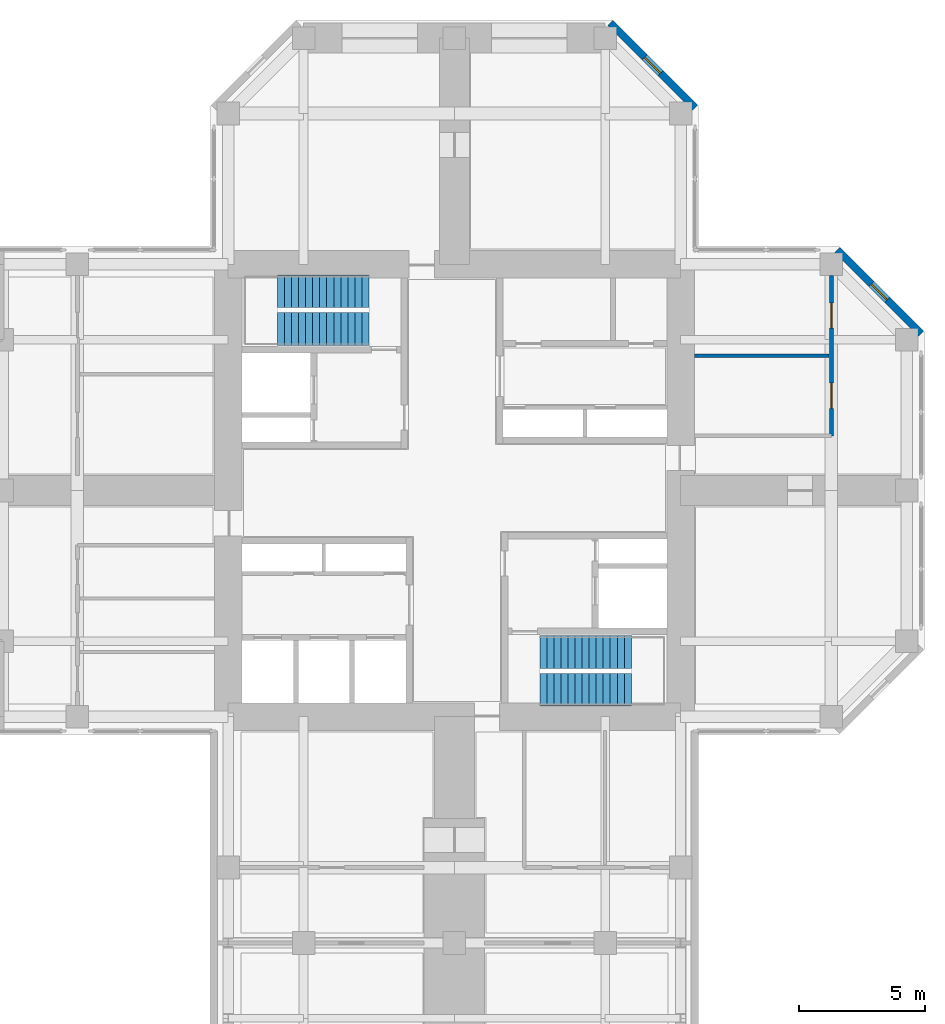
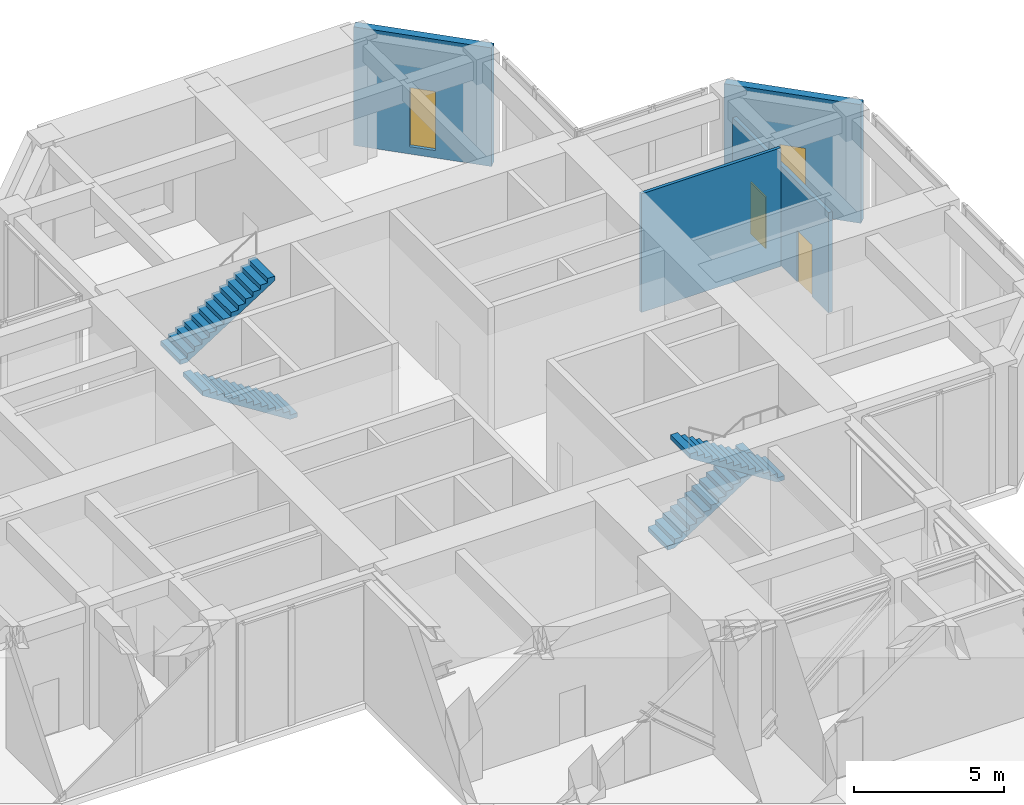
# One storey, part 9 of 10: 4 stair flights, 4 walls, 2 doors, 2 windows, 4 openings, 2 elements without a shape of their own.
"""IFC4 building model written with IfcOpenShell, lengths in metres."""

from ifc_helpers import new_model, si_unit, direction, frame, frame_2d, origin, place, context, subcontext, project, spatial, polyline, rectangle, hollow_rectangle, outline, extrude, material, layer, layer_set, constituent, constituent_set, type_object, element, fill, aggregate, save


model = new_model("IFC4")

# Units and contexts
model_context = context("Model", 3, precision=1e-05, world=origin(), true_north=direction((0.0, 1.0)))
body_context = subcontext(model_context, "Body", "Model", "MODEL_VIEW")
ifc_project = project(units=[si_unit("LENGTHUNIT", "METRE"), si_unit("AREAUNIT", "SQUARE_METRE"), si_unit("VOLUMEUNIT", "CUBIC_METRE"), si_unit("PLANEANGLEUNIT", "RADIAN"), si_unit("MASSUNIT", "GRAM", prefix="KILO")], contexts=[model_context])

# Site, building, storey
site_placement = place(None, origin())
site = spatial("IfcSite", under=ifc_project, at=site_placement, CompositionType="ELEMENT")
building_placement = place(site_placement, origin())
building = spatial("IfcBuilding", under=site, at=building_placement, Name="Torre Cruceta", CompositionType="ELEMENT")
storey_placement = place(building_placement, frame((0.0, 0.0, 217.10009765625)))
storey = spatial("IfcBuildingStorey", under=building, at=storey_placement, Name="L55", CompositionType="ELEMENT", Elevation=217.10009765625)

# Wall, opening, window
ifc_material_1 = material(Name="Concrete G30 (fck 30 MPa)", Category="concrete")
ifc_layer_1 = layer(ifc_material_1, 0.300048828125)
ifc_layer_set_1 = layer_set([ifc_layer_1], Name="Concrete G30 (fck 30 MPa)")
wall_type_1 = type_object("IfcWallType", Name="EXPOSED CONCRETE FACADE WALL 300", PredefinedType="SOLIDWALL", material=ifc_layer_set_1)
wall_1_placement = place(storey_placement, frame((18.570068359375, 6.236083984375, 0.0), z_axis=(0.0, 0.0, 1.0), x_axis=(-0.707106781187, 0.707106781187, 0.0)))
wall_1 = element("IfcWall", 1, at=wall_1_placement, inside=storey, type_object=wall_type_1, Name="EW1 facade wall L55 E chamfer 03", PredefinedType="SOLIDWALL", context=body_context, shape_type="SweptSolid", body=[
    extrude(rectangle(XDim=4.715087890625, YDim=0.300048828125, at=frame_2d((2.357421875, 0.0))), origin(), (0.0, 0.0, 1.0), 4.81982421875),
])
opening_1_placement = place(wall_1_placement, frame((1.907470703125, 0.0, 0.300048828125)))
opening_1 = element("IfcOpeningElement", 2, at=opening_1_placement, cuts=wall_1, Name="Opening WN5", PredefinedType="OPENING", context=body_context, shape_type="SweptSolid", body=[
    extrude(rectangle(XDim=0.89990234375, YDim=2.39990234375, at=frame_2d((0.449951171875, 1.199951171875))), frame((0.0, 0.159912109375, 0.0), z_axis=(0.0, -1.0, 0.0), x_axis=(1.0, 0.0, 0.0)), (0.0, 0.0, 1.0), 0.320068359375),
])
ifc_material_2 = material(Name="Aluminium window frame", Category="aluminium")
ifc_constituent_1 = constituent(ifc_material_2, Name="Frame")
ifc_material_3 = material(Name="Laminated insulating glass unit, low-iron clear", Category="glass")
ifc_constituent_2 = constituent(ifc_material_3, Name="Glazing")
ifc_constituent_set_1 = constituent_set(constituents=[ifc_constituent_1, ifc_constituent_2], Name="Aluminium window")
window_type = type_object("IfcWindowType", Name="CHAMFER SLOT WINDOW 900X2400", PartitioningType="SINGLE_PANEL", PredefinedType="WINDOW", material=ifc_constituent_set_1)
window_1_placement = place(opening_1_placement, origin())
window_1 = element("IfcWindow", 3, at=window_1_placement, inside=storey, type_object=window_type, Name="WN5 L55 E 1", OverallHeight=2.39990234375, OverallWidth=0.89990234375, PartitioningType="SINGLE_PANEL", PredefinedType="WINDOW", context=body_context, shape_type="SweptSolid", body=[
    extrude(hollow_rectangle(XDim=0.89990234375, YDim=2.39990234375, WallThickness=0.06005859375, at=frame_2d((0.449951171875, 1.199951171875))), frame((0.0, 0.030029296875, 0.0), z_axis=(0.0, -1.0, 0.0), x_axis=(1.0, 0.0, 0.0)), (0.0, 0.0, 1.0), 0.06005859375),
    extrude(rectangle(XDim=0.77880859375, YDim=2.27880859375, at=frame_2d((0.449951171875, 1.199951171875))), frame((0.0, 0.030029296875, 0.0), z_axis=(0.0, -1.0, 0.0), x_axis=(1.0, 0.0, 0.0)), (0.0, 0.0, 1.0), 0.06005859375),
])
fill(opening_1, window_1)

wall_2_placement = place(storey_placement, frame((9.570068359375, 15.236083984375, 0.0), z_axis=(0.0, 0.0, 1.0), x_axis=(-0.707106781187, 0.707106781187, 0.0)))
wall_2 = element("IfcWall", 4, at=wall_2_placement, inside=storey, type_object=wall_type_1, Name="EW1 facade wall L55 N chamfer 06", PredefinedType="SOLIDWALL", context=body_context, shape_type="SweptSolid", body=[
    extrude(rectangle(XDim=4.75732421875, YDim=0.300048828125, at=frame_2d((2.378662109375, 0.0))), origin(), (0.0, 0.0, 1.0), 4.81982421875),
])
opening_2_placement = place(wall_2_placement, frame((1.9287109375, 0.0, 0.300048828125)))
opening_2 = element("IfcOpeningElement", 5, at=opening_2_placement, cuts=wall_2, Name="Opening WN5", PredefinedType="OPENING", context=body_context, shape_type="SweptSolid", body=[
    extrude(rectangle(XDim=0.89990234375, YDim=2.39990234375, at=frame_2d((0.449951171875, 1.199951171875))), frame((0.0, 0.159912109375, 0.0), z_axis=(0.0, -1.0, 0.0), x_axis=(1.0, 0.0, 0.0)), (0.0, 0.0, 1.0), 0.320068359375),
])
window_2_placement = place(opening_2_placement, origin())
window_2 = element("IfcWindow", 6, at=window_2_placement, inside=storey, type_object=window_type, Name="WN5 L55 N 1", OverallHeight=2.39990234375, OverallWidth=0.89990234375, PartitioningType="SINGLE_PANEL", PredefinedType="WINDOW", context=body_context, shape_type="SweptSolid", body=[
    extrude(hollow_rectangle(XDim=0.89990234375, YDim=2.39990234375, WallThickness=0.06005859375, at=frame_2d((0.449951171875, 1.199951171875))), frame((0.0, 0.030029296875, 0.0), z_axis=(0.0, -1.0, 0.0), x_axis=(1.0, 0.0, 0.0)), (0.0, 0.0, 1.0), 0.06005859375),
    extrude(rectangle(XDim=0.77880859375, YDim=2.27880859375, at=frame_2d((0.449951171875, 1.199951171875))), frame((0.0, 0.030029296875, 0.0), z_axis=(0.0, -1.0, 0.0), x_axis=(1.0, 0.0, 0.0)), (0.0, 0.0, 1.0), 0.06005859375),
])
fill(opening_2, window_2)

# Wall, openings, doors
ifc_material_4 = material(Name="Plasterboard on steel studs", Category="steel")
ifc_layer_2 = layer(ifc_material_4, 0.14990234375)
ifc_layer_set_2 = layer_set([ifc_layer_2], Name="Plasterboard on steel studs")
wall_type_2 = type_object("IfcWallType", Name="PARTITION 150", PredefinedType="PARTITIONING", material=ifc_layer_set_2)
wall_3_placement = place(storey_placement, frame((15.0, 2.175048828125, 0.0), z_axis=(0.0, 0.0, 1.0), x_axis=(0.0, 1.0, 0.0)))
wall_3 = element("IfcWall", 7, at=wall_3_placement, inside=storey, type_object=wall_type_2, Name="PT1 L55-E-BFL", PredefinedType="PARTITIONING", context=body_context, shape_type="SweptSolid", body=[
    extrude(rectangle(XDim=6.375, YDim=0.14990234375, at=frame_2d((3.1875, 0.0))), origin(), (0.0, 0.0, 1.0), 4.06982421875),
])
opening_3_placement = place(wall_3_placement, frame((1.09375, 0.0, 0.0)))
opening_3 = element("IfcOpeningElement", 8, at=opening_3_placement, cuts=wall_3, Name="Opening D3", PredefinedType="OPENING", context=body_context, shape_type="SweptSolid", body=[
    extrude(rectangle(XDim=1.0, YDim=2.10009765625, at=frame_2d((0.5, 1.050048828125))), frame((0.0, 0.0849609375, 0.0), z_axis=(0.0, -1.0, 0.0), x_axis=(1.0, 0.0, 0.0)), (0.0, 0.0, 1.0), 0.169921875),
])
opening_4_placement = place(wall_3_placement, frame((4.28125, 0.0, 0.0)))
opening_4 = element("IfcOpeningElement", 9, at=opening_4_placement, cuts=wall_3, Name="Opening D3", PredefinedType="OPENING", context=body_context, shape_type="SweptSolid", body=[
    extrude(rectangle(XDim=1.0, YDim=2.10009765625, at=frame_2d((0.5, 1.050048828125))), frame((0.0, 0.0849609375, 0.0), z_axis=(0.0, -1.0, 0.0), x_axis=(1.0, 0.0, 0.0)), (0.0, 0.0, 1.0), 0.169921875),
])
ifc_material_5 = material(Name="Steel DX51D", Category="steel")
ifc_constituent_3 = constituent(ifc_material_5, Name="Leaf and frame")
ifc_material_6 = material(Name="Polyester powder coating", Category="paint")
ifc_constituent_4 = constituent(ifc_material_6, Name="Finish")
ifc_constituent_set_2 = constituent_set(constituents=[ifc_constituent_3, ifc_constituent_4], Name="Steel fire door")
door_type = type_object("IfcDoorType", Name="FIRE DOOR 1000X2100", OperationType="SINGLE_SWING_LEFT", PredefinedType="DOOR", material=ifc_constituent_set_2)
door_1_placement = place(opening_3_placement, origin())
door_1 = element("IfcDoor", 10, at=door_1_placement, inside=storey, type_object=door_type, Name="D3 L55-E-BFL-D1", OperationType="SINGLE_SWING_LEFT", OverallHeight=2.10009765625, OverallWidth=1.0, PredefinedType="DOOR", context=body_context, shape_type="SweptSolid", body=[
    extrude(rectangle(XDim=1.0, YDim=2.10009765625, at=frame_2d((0.5, 1.050048828125))), frame((0.0, 0.02490234375, 0.0), z_axis=(0.0, -1.0, 0.0), x_axis=(1.0, 0.0, 0.0)), (0.0, 0.0, 1.0), 0.050048828125),
])
fill(opening_3, door_1)
door_2_placement = place(opening_4_placement, origin())
door_2 = element("IfcDoor", 11, at=door_2_placement, inside=storey, type_object=door_type, Name="D3 L55-E-BFL-D2", OperationType="SINGLE_SWING_LEFT", OverallHeight=2.10009765625, OverallWidth=1.0, PredefinedType="DOOR", context=body_context, shape_type="SweptSolid", body=[
    extrude(rectangle(XDim=1.0, YDim=2.10009765625, at=frame_2d((0.5, 1.050048828125))), frame((0.0, 0.02490234375, 0.0), z_axis=(0.0, -1.0, 0.0), x_axis=(1.0, 0.0, 0.0)), (0.0, 0.0, 1.0), 0.050048828125),
])
fill(opening_4, door_2)

# Wall
ifc_material_7 = material(Name="Plasterboard on steel studs", Category="steel")
ifc_layer_3 = layer(ifc_material_7, 0.1201171875)
ifc_layer_set_3 = layer_set([ifc_layer_3], Name="Plasterboard on steel studs")
wall_type_3 = type_object("IfcWallType", Name="WC PARTITION 120", PredefinedType="PLUMBINGWALL", material=ifc_layer_set_3)
wall_4_placement = place(storey_placement, frame((9.550048828125, 5.362548828125, 0.0), z_axis=(0.0, 0.0, 1.0), x_axis=(1.0, 0.0, 0.0)))
element("IfcWall", 12, at=wall_4_placement, inside=storey, type_object=wall_type_3, Name="PT5 L55-E-BDL1", PredefinedType="PLUMBINGWALL", context=body_context, shape_type="SweptSolid", body=[
    extrude(rectangle(XDim=5.349853515625, YDim=0.1201171875, at=frame_2d((2.6748046875, 0.0))), origin(), (0.0, 0.0, 1.0), 4.81982421875),
])

# Stair, stair flights
ifc_material_8 = material(Name="Concrete G30 (fck 30 MPa)", Category="concrete")
stair_type = type_object("IfcStairType", Name="STAIR HALF-TURN 1300", PredefinedType="HALF_TURN_STAIR", material=ifc_material_8)
stair_1_placement = place(storey_placement, origin())
stair_1 = element("IfcStair", 13, at=stair_1_placement, inside=storey, type_object=stair_type, Name="Stair ST1 L55", PredefinedType="HALF_TURN_STAIR")
ifc_material_9 = material(Name="Concrete G30 (fck 30 MPa)", Category="concrete")
stair_flight_type = type_object("IfcStairFlightType", Name="STAIR FLIGHT 1300", PredefinedType="STRAIGHT", material=ifc_material_9)
stair_flight_1_placement = place(storey_placement, frame((-3.39990234375, 6.425048828125, 0.0), z_axis=(0.0, 0.0, 1.0), x_axis=(-1.0, 0.0, 0.0)))
stair_flight_1 = element("IfcStairFlight", 14, at=stair_flight_1_placement, type_object=stair_flight_type, Name="ST1 flight 1", NumberOfRisers=14, NumberOfTreads=13, PredefinedType="STRAIGHT", RiserHeight=0.178571429, TreadLength=0.28, context=body_context, shape_type="SweptSolid", body=[
    extrude(outline(polyline([(0.0, 0.0), (0.0, 0.178466796875), (0.280029296875, 0.178466796875), (0.280029296875, 0.357177734375), (0.56005859375, 0.357177734375), (0.56005859375, 0.53564453125), (0.840087890625, 0.53564453125), (0.840087890625, 0.71435546875), (1.1201171875, 0.71435546875), (1.1201171875, 0.892822265625), (1.39990234375, 0.892822265625), (1.39990234375, 1.071533203125), (1.679931640625, 1.071533203125), (1.679931640625, 1.25), (1.9599609375, 1.25), (1.9599609375, 1.428466796875), (2.239990234375, 1.428466796875), (2.239990234375, 1.607177734375), (2.52001953125, 1.607177734375), (2.52001953125, 1.78564453125), (2.800048828125, 1.78564453125), (2.800048828125, 1.96435546875), (3.080078125, 1.96435546875), (3.080078125, 2.142822265625), (3.360107421875, 2.142822265625), (3.360107421875, 2.321533203125), (3.639892578125, 2.321533203125), (3.639892578125, 2.5), (3.639892578125, 2.1435546875), (0.27880859375, 0.0), (0.0, 0.0)])), frame((0.0, 0.64990234375, 0.0), z_axis=(0.0, -1.0, 0.0), x_axis=(1.0, 0.0, 0.0)), (0.0, 0.0, 1.0), 1.300048828125),
])
stair_flight_2_placement = place(storey_placement, frame((-7.0400390625, 7.925048828125, 2.5), z_axis=(0.0, 0.0, 1.0), x_axis=(1.0, 0.0, 0.0)))
stair_flight_2 = element("IfcStairFlight", 15, at=stair_flight_2_placement, type_object=stair_flight_type, Name="ST1 flight 2", NumberOfRisers=14, NumberOfTreads=13, PredefinedType="STRAIGHT", RiserHeight=0.178571429, TreadLength=0.28, context=body_context, shape_type="SweptSolid", body=[
    extrude(outline(polyline([(0.0, 0.0), (0.0, 0.178466796875), (0.280029296875, 0.178466796875), (0.280029296875, 0.357177734375), (0.56005859375, 0.357177734375), (0.56005859375, 0.53564453125), (0.840087890625, 0.53564453125), (0.840087890625, 0.71435546875), (1.1201171875, 0.71435546875), (1.1201171875, 0.892822265625), (1.39990234375, 0.892822265625), (1.39990234375, 1.071533203125), (1.679931640625, 1.071533203125), (1.679931640625, 1.25), (1.9599609375, 1.25), (1.9599609375, 1.428466796875), (2.239990234375, 1.428466796875), (2.239990234375, 1.607177734375), (2.52001953125, 1.607177734375), (2.52001953125, 1.78564453125), (2.800048828125, 1.78564453125), (2.800048828125, 1.96435546875), (3.080078125, 1.96435546875), (3.080078125, 2.142822265625), (3.360107421875, 2.142822265625), (3.360107421875, 2.321533203125), (3.639892578125, 2.321533203125), (3.639892578125, 2.5), (3.639892578125, 2.1435546875), (0.27880859375, 0.0), (0.0, 0.0)])), frame((0.0, 0.64990234375, 0.0), z_axis=(0.0, -1.0, 0.0), x_axis=(1.0, 0.0, 0.0)), (0.0, 0.0, 1.0), 1.300048828125),
])
aggregate(stair_1, [stair_flight_1, stair_flight_2])

stair_2_placement = place(storey_placement, origin())
stair_2 = element("IfcStair", 16, at=stair_2_placement, inside=storey, type_object=stair_type, Name="Stair ST2 L55", PredefinedType="HALF_TURN_STAIR")
stair_flight_3_placement = place(storey_placement, frame((3.39990234375, -6.425048828125, 0.0), z_axis=(0.0, 0.0, 1.0), x_axis=(1.0, 0.0, 0.0)))
stair_flight_3 = element("IfcStairFlight", 17, at=stair_flight_3_placement, type_object=stair_flight_type, Name="ST2 flight 1", NumberOfRisers=14, NumberOfTreads=13, PredefinedType="STRAIGHT", RiserHeight=0.178571429, TreadLength=0.28, context=body_context, shape_type="SweptSolid", body=[
    extrude(outline(polyline([(0.0, 0.0), (0.0, 0.178466796875), (0.280029296875, 0.178466796875), (0.280029296875, 0.357177734375), (0.56005859375, 0.357177734375), (0.56005859375, 0.53564453125), (0.840087890625, 0.53564453125), (0.840087890625, 0.71435546875), (1.1201171875, 0.71435546875), (1.1201171875, 0.892822265625), (1.39990234375, 0.892822265625), (1.39990234375, 1.071533203125), (1.679931640625, 1.071533203125), (1.679931640625, 1.25), (1.9599609375, 1.25), (1.9599609375, 1.428466796875), (2.239990234375, 1.428466796875), (2.239990234375, 1.607177734375), (2.52001953125, 1.607177734375), (2.52001953125, 1.78564453125), (2.800048828125, 1.78564453125), (2.800048828125, 1.96435546875), (3.080078125, 1.96435546875), (3.080078125, 2.142822265625), (3.360107421875, 2.142822265625), (3.360107421875, 2.321533203125), (3.639892578125, 2.321533203125), (3.639892578125, 2.5), (3.639892578125, 2.1435546875), (0.27880859375, 0.0), (0.0, 0.0)])), frame((0.0, 0.64990234375, 0.0), z_axis=(0.0, -1.0, 0.0), x_axis=(1.0, 0.0, 0.0)), (0.0, 0.0, 1.0), 1.300048828125),
])
stair_flight_4_placement = place(storey_placement, frame((7.0400390625, -7.925048828125, 2.5), z_axis=(0.0, 0.0, 1.0), x_axis=(-1.0, 0.0, 0.0)))
stair_flight_4 = element("IfcStairFlight", 18, at=stair_flight_4_placement, type_object=stair_flight_type, Name="ST2 flight 2", NumberOfRisers=14, NumberOfTreads=13, PredefinedType="STRAIGHT", RiserHeight=0.178571429, TreadLength=0.28, context=body_context, shape_type="SweptSolid", body=[
    extrude(outline(polyline([(0.0, 0.0), (0.0, 0.178466796875), (0.280029296875, 0.178466796875), (0.280029296875, 0.357177734375), (0.56005859375, 0.357177734375), (0.56005859375, 0.53564453125), (0.840087890625, 0.53564453125), (0.840087890625, 0.71435546875), (1.1201171875, 0.71435546875), (1.1201171875, 0.892822265625), (1.39990234375, 0.892822265625), (1.39990234375, 1.071533203125), (1.679931640625, 1.071533203125), (1.679931640625, 1.25), (1.9599609375, 1.25), (1.9599609375, 1.428466796875), (2.239990234375, 1.428466796875), (2.239990234375, 1.607177734375), (2.52001953125, 1.607177734375), (2.52001953125, 1.78564453125), (2.800048828125, 1.78564453125), (2.800048828125, 1.96435546875), (3.080078125, 1.96435546875), (3.080078125, 2.142822265625), (3.360107421875, 2.142822265625), (3.360107421875, 2.321533203125), (3.639892578125, 2.321533203125), (3.639892578125, 2.5), (3.639892578125, 2.1435546875), (0.27880859375, 0.0), (0.0, 0.0)])), frame((0.0, 0.64990234375, 0.0), z_axis=(0.0, -1.0, 0.0), x_axis=(1.0, 0.0, 0.0)), (0.0, 0.0, 1.0), 1.300048828125),
])
aggregate(stair_2, [stair_flight_3, stair_flight_4])

save(model, "model.ifc")
